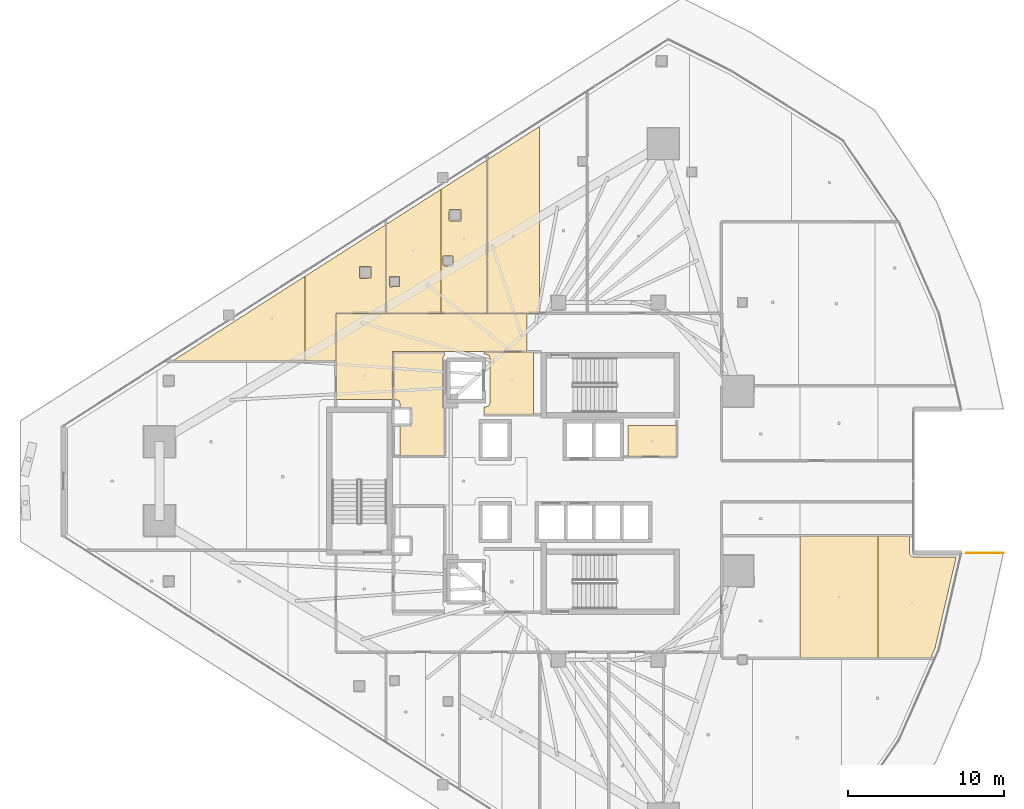
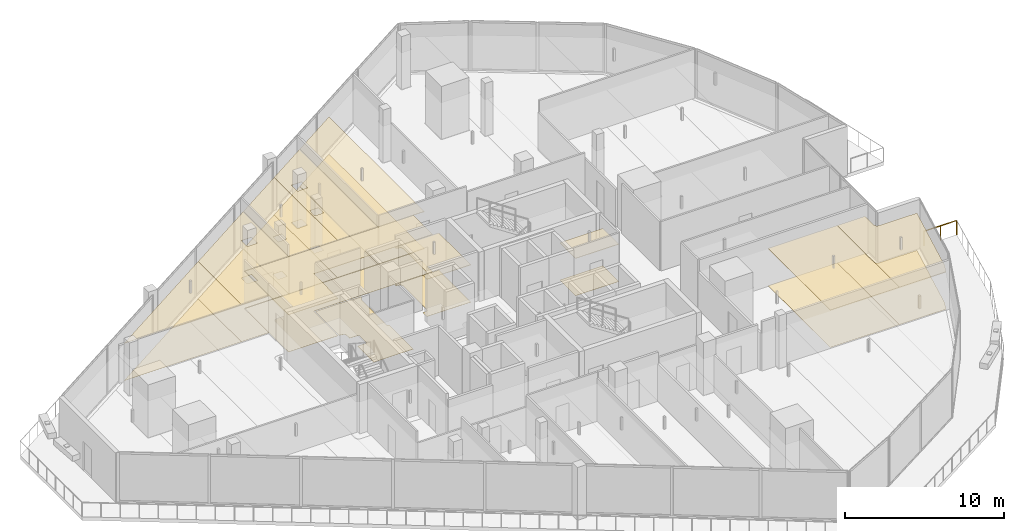
# One storey, part 35 of 37: 21 coverings, 1 railing.
"""IFC4 building model written with IfcOpenShell, lengths in metres."""

from ifc_helpers import new_model, si_unit, direction, frame, origin, origin_2d, place, context, subcontext, project, spatial, polyline, circle, outline, extrude, material, layer, layer_set, type_object, element, save


model = new_model("IFC4")

# Units and contexts
model_context = context("Model", 3, precision=1e-05, world=origin(), true_north=direction((0.0, 1.0)))
body_context = subcontext(model_context, "Body", "Model", "MODEL_VIEW")
ifc_project = project(units=[si_unit("LENGTHUNIT", "METRE"), si_unit("AREAUNIT", "SQUARE_METRE"), si_unit("VOLUMEUNIT", "CUBIC_METRE"), si_unit("PLANEANGLEUNIT", "RADIAN"), si_unit("MASSUNIT", "GRAM", prefix="KILO")], contexts=[model_context])

# Site, building, storey
site_placement = place(None, origin())
site = spatial("IfcSite", under=ifc_project, at=site_placement, CompositionType="ELEMENT")
building_placement = place(site_placement, origin())
building = spatial("IfcBuilding", under=site, at=building_placement, Name="Qorvath Tower", CompositionType="ELEMENT")
storey_placement = place(building_placement, frame((0.0, 0.0, 184.800048828125)))
storey = spatial("IfcBuildingStorey", under=building, at=storey_placement, Name="L42", CompositionType="ELEMENT", Elevation=184.800048828125)

# Coverings
ifc_material_1 = material(Name="Acoustic mineral fibre ceiling tile", Category="gypsum")
ifc_layer_1 = layer(ifc_material_1, 0.030029296875)
ifc_layer_set_1 = layer_set([ifc_layer_1], Name="COV-CEIL")
covering_type_1 = type_object("IfcCoveringType", Name="COV-CEIL", PredefinedType="CEILING", material=ifc_layer_set_1)
covering_1_placement = place(storey_placement, frame((0.0, 0.0, 2.849853515625)))
element("IfcCovering", 1, at=covering_1_placement, inside=storey, type_object=covering_type_1, Name="L42 Suspended Acoustic Ceiling 001", PredefinedType="CEILING", context=body_context, shape_type="SweptSolid", body=[
    extrude(outline(polyline([(-25.18994140625, 4.2548828125), (-25.18994140625, 8.294921875), (-28.375, 8.294921875), (-28.375, 8.159912109375), (-28.063232421875, 8.086669921875), (-27.989990234375, 7.909912109375), (-27.989990234375, 4.989990234375), (-28.063232421875, 4.813232421875), (-28.375, 4.739990234375), (-28.375, 4.2548828125), (-25.18994140625, 4.2548828125)])), origin(), (0.0, 0.0, 1.0), 0.030029296875),
])
covering_2_placement = place(storey_placement, frame((0.0, 0.0, 2.849853515625)))
element("IfcCovering", 2, at=covering_2_placement, inside=storey, type_object=covering_type_1, Name="L42 Suspended Acoustic Ceiling 003", PredefinedType="CEILING", context=body_context, shape_type="SweptSolid", body=[
    extrude(outline(polyline([(-16.0048828125, 3.56005859375), (-19.139892578125, 3.56005859375), (-19.139892578125, 1.56494140625), (-16.0048828125, 1.56494140625), (-16.0048828125, 3.56005859375)])), origin(), (0.0, 0.0, 1.0), 0.030029296875),
])
covering_3_placement = place(storey_placement, frame((0.0, 0.0, 2.849853515625)))
element("IfcCovering", 3, at=covering_3_placement, inside=storey, type_object=covering_type_1, Name="L42 Suspended Acoustic Ceiling 007", PredefinedType="CEILING", context=body_context, shape_type="SweptSolid", body=[
    extrude(outline(polyline([(-25.6044921875, 8.324951171875), (-25.6044921875, 10.7451171875), (-37.844970703125, 10.7451171875), (-37.844970703125, 5.239990234375), (-34.2509765625, 5.239990234375), (-34.219970703125, 8.324951171875), (-25.6044921875, 8.324951171875)])), origin(), (0.0, 0.0, 1.0), 0.030029296875),
])
covering_4_placement = place(storey_placement, frame((0.0, 0.0, 2.849853515625)))
element("IfcCovering", 4, at=covering_4_placement, inside=storey, type_object=covering_type_1, Name="L42 Suspended Acoustic Ceiling 009", PredefinedType="CEILING", context=body_context, shape_type="SweptSolid", body=[
    extrude(outline(polyline([(-31.111572265625, 10.762939453125), (-31.111572265625, 18.71435546875), (-34.64501953125, 16.4560546875), (-34.64501953125, 10.762939453125), (-31.111572265625, 10.762939453125)]), holes=[polyline([(-34.439208984375, 12.517578125), (-34.421630859375, 13.10986328125), (-33.786865234375, 13.10986328125), (-33.786865234375, 12.47509765625), (-34.379150390625, 12.45751953125), (-34.439208984375, 12.517578125)])]), origin(), (0.0, 0.0, 1.0), 0.030029296875),
])
covering_5_placement = place(storey_placement, frame((0.0, 0.0, 2.849853515625)))
element("IfcCovering", 5, at=covering_5_placement, inside=storey, type_object=covering_type_1, Name="L42 Suspended Acoustic Ceiling 010", PredefinedType="CEILING", context=body_context, shape_type="SweptSolid", body=[
    extrude(outline(polyline([(-28.175537109375, 10.762939453125), (-28.175537109375, 20.5908203125), (-31.111572265625, 18.71435546875), (-31.111572265625, 10.762939453125), (-28.175537109375, 10.762939453125)]), holes=[polyline([(-30.60986328125, 16.734619140625), (-30.59228515625, 17.427001953125), (-29.857421875, 17.427001953125), (-29.857421875, 16.692138671875), (-30.5498046875, 16.674560546875), (-30.60986328125, 16.734619140625)]), polyline([(-31.01220703125, 13.849365234375), (-30.99462890625, 14.441650390625), (-30.35986328125, 14.441650390625), (-30.35986328125, 13.806884765625), (-30.9521484375, 13.789306640625), (-31.01220703125, 13.849365234375)])]), origin(), (0.0, 0.0, 1.0), 0.030029296875),
])
covering_6_placement = place(storey_placement, frame((0.0, 0.0, 2.849853515625)))
element("IfcCovering", 6, at=covering_6_placement, inside=storey, type_object=covering_type_1, Name="L42 Suspended Acoustic Ceiling 011", PredefinedType="CEILING", context=body_context, shape_type="SweptSolid", body=[
    extrude(outline(polyline([(-24.804443359375, 10.762939453125), (-24.804443359375, 22.745361328125), (-28.157470703125, 20.602294921875), (-28.157470703125, 10.762939453125), (-24.804443359375, 10.762939453125)])), origin(), (0.0, 0.0, 1.0), 0.030029296875),
])
covering_7_placement = place(storey_placement, frame((0.0, 0.0, 2.849853515625)))
element("IfcCovering", 7, at=covering_7_placement, inside=storey, type_object=covering_type_1, Name="L42 Suspended Acoustic Ceiling 028", PredefinedType="CEILING", context=body_context, shape_type="SweptSolid", body=[
    extrude(outline(polyline([(-3.10693359375, -11.343994140625), (-3.10693359375, -3.514892578125), (-8.1220703125, -3.514892578125), (-8.1220703125, -11.342041015625), (-3.10693359375, -11.343994140625)])), origin(), (0.0, 0.0, 1.0), 0.030029296875),
])
covering_8_placement = place(storey_placement, frame((0.0, 0.0, 2.849853515625)))
element("IfcCovering", 8, at=covering_8_placement, inside=storey, type_object=covering_type_1, Name="L42 Suspended Acoustic Ceiling 029", PredefinedType="CEILING", context=body_context, shape_type="SweptSolid", body=[
    extrude(outline(polyline([(-1.001220703125, -4.796630859375), (-1.08837890625, -4.649658203125), (-1.09326171875, -3.514892578125), (-3.10693359375, -3.514892578125), (-3.10693359375, -11.343994140625), (0.26708984375, -11.34521484375), (0.552734375, -10.695068359375), (1.907958984375, -4.855712890625), (-0.86279296875, -4.8544921875), (-1.001220703125, -4.796630859375)])), origin(), (0.0, 0.0, 1.0), 0.030029296875),
])
covering_9_placement = place(storey_placement, frame((0.0, 0.0, 2.849853515625)))
element("IfcCovering", 9, at=covering_9_placement, inside=storey, type_object=covering_type_1, Name="L42 Suspended Acoustic Ceiling 042", PredefinedType="CEILING", context=body_context, shape_type="SweptSolid", body=[
    extrude(outline(polyline([(-39.850830078125, 7.693115234375), (-39.850830078125, 13.128662109375), (-48.35546875, 7.693115234375), (-39.850830078125, 7.693115234375)])), origin(), (0.0, 0.0, 1.0), 0.030029296875),
])
covering_10_placement = place(storey_placement, frame((0.0, 0.0, 2.849853515625)))
element("IfcCovering", 10, at=covering_10_placement, inside=storey, type_object=covering_type_1, Name="L42 Suspended Acoustic Ceiling 043", PredefinedType="CEILING", context=body_context, shape_type="SweptSolid", body=[
    extrude(outline(polyline([(-37.85791015625, 10.762939453125), (-34.6630859375, 10.762939453125), (-34.6630859375, 16.444580078125), (-39.850830078125, 13.128662109375), (-39.850830078125, 7.693115234375), (-37.863037109375, 7.693115234375), (-37.85791015625, 10.762939453125)]), holes=[polyline([(-36.36572265625, 13.055908203125), (-36.34814453125, 13.748291015625), (-35.61328125, 13.748291015625), (-35.61328125, 13.013427734375), (-36.3056640625, 12.995849609375), (-36.36572265625, 13.055908203125)])]), origin(), (0.0, 0.0, 1.0), 0.030029296875),
])
ifc_material_2 = material(Name="Low-VOC modular carpet tile", Category="textile")
ifc_layer_2 = layer(ifc_material_2, 0.014892578125)
ifc_layer_set_2 = layer_set([ifc_layer_2], Name="COV-FLOOR-CPT")
covering_type_2 = type_object("IfcCoveringType", Name="COV-FLOOR-CPT", PredefinedType="FLOORING", material=ifc_layer_set_2)
covering_11_placement = place(storey_placement, origin())
element("IfcCovering", 11, at=covering_11_placement, inside=storey, type_object=covering_type_2, Name="L42 Floor Finish 003", PredefinedType="FLOORING", context=body_context, shape_type="SweptSolid", body=[
    extrude(outline(polyline([(-16.0048828125, 3.56005859375), (-19.139892578125, 3.56005859375), (-19.139892578125, 1.56494140625), (-16.0048828125, 1.56494140625), (-16.0048828125, 3.56005859375)])), origin(), (0.0, 0.0, 1.0), 0.014892578125),
])
covering_12_placement = place(storey_placement, origin())
element("IfcCovering", 12, at=covering_12_placement, inside=storey, type_object=covering_type_2, Name="L42 Floor Finish 009", PredefinedType="FLOORING", context=body_context, shape_type="SweptSolid", body=[
    extrude(outline(polyline([(-31.111572265625, 10.762939453125), (-31.111572265625, 18.71435546875), (-34.64501953125, 16.4560546875), (-34.64501953125, 10.762939453125), (-31.111572265625, 10.762939453125)]), holes=[polyline([(-34.439208984375, 12.517578125), (-34.421630859375, 13.10986328125), (-33.786865234375, 13.10986328125), (-33.786865234375, 12.47509765625), (-34.379150390625, 12.45751953125), (-34.439208984375, 12.517578125)])]), origin(), (0.0, 0.0, 1.0), 0.014892578125),
])
covering_13_placement = place(storey_placement, origin())
element("IfcCovering", 13, at=covering_13_placement, inside=storey, type_object=covering_type_2, Name="L42 Floor Finish 010", PredefinedType="FLOORING", context=body_context, shape_type="SweptSolid", body=[
    extrude(outline(polyline([(-28.175537109375, 10.762939453125), (-28.175537109375, 20.5908203125), (-31.111572265625, 18.71435546875), (-31.111572265625, 10.762939453125), (-28.175537109375, 10.762939453125)]), holes=[polyline([(-30.60986328125, 16.734619140625), (-30.59228515625, 17.427001953125), (-29.857421875, 17.427001953125), (-29.857421875, 16.692138671875), (-30.5498046875, 16.674560546875), (-30.60986328125, 16.734619140625)]), polyline([(-31.01220703125, 13.849365234375), (-30.99462890625, 14.441650390625), (-30.35986328125, 14.441650390625), (-30.35986328125, 13.806884765625), (-30.9521484375, 13.789306640625), (-31.01220703125, 13.849365234375)])]), origin(), (0.0, 0.0, 1.0), 0.014892578125),
])
covering_14_placement = place(storey_placement, origin())
element("IfcCovering", 14, at=covering_14_placement, inside=storey, type_object=covering_type_2, Name="L42 Floor Finish 011", PredefinedType="FLOORING", context=body_context, shape_type="SweptSolid", body=[
    extrude(outline(polyline([(-24.804443359375, 10.762939453125), (-24.804443359375, 22.745361328125), (-28.157470703125, 20.602294921875), (-28.157470703125, 10.762939453125), (-24.804443359375, 10.762939453125)])), origin(), (0.0, 0.0, 1.0), 0.014892578125),
])
covering_15_placement = place(storey_placement, origin())
element("IfcCovering", 15, at=covering_15_placement, inside=storey, type_object=covering_type_2, Name="L42 Floor Finish 028", PredefinedType="FLOORING", context=body_context, shape_type="SweptSolid", body=[
    extrude(outline(polyline([(-3.10693359375, -11.343994140625), (-3.10693359375, -3.514892578125), (-8.1220703125, -3.514892578125), (-8.1220703125, -11.342041015625), (-3.10693359375, -11.343994140625)])), origin(), (0.0, 0.0, 1.0), 0.014892578125),
])
covering_16_placement = place(storey_placement, origin())
element("IfcCovering", 16, at=covering_16_placement, inside=storey, type_object=covering_type_2, Name="L42 Floor Finish 029", PredefinedType="FLOORING", context=body_context, shape_type="SweptSolid", body=[
    extrude(outline(polyline([(-1.001220703125, -4.796630859375), (-1.08837890625, -4.649658203125), (-1.09326171875, -3.514892578125), (-3.10693359375, -3.514892578125), (-3.10693359375, -11.343994140625), (0.26708984375, -11.34521484375), (0.552734375, -10.695068359375), (1.907958984375, -4.855712890625), (-0.86279296875, -4.8544921875), (-1.001220703125, -4.796630859375)])), origin(), (0.0, 0.0, 1.0), 0.014892578125),
])
covering_17_placement = place(storey_placement, origin())
element("IfcCovering", 17, at=covering_17_placement, inside=storey, type_object=covering_type_2, Name="L42 Floor Finish 042", PredefinedType="FLOORING", context=body_context, shape_type="SweptSolid", body=[
    extrude(outline(polyline([(-39.850830078125, 7.693115234375), (-39.850830078125, 13.128662109375), (-48.35546875, 7.693115234375), (-39.850830078125, 7.693115234375)])), origin(), (0.0, 0.0, 1.0), 0.014892578125),
])
covering_18_placement = place(storey_placement, origin())
element("IfcCovering", 18, at=covering_18_placement, inside=storey, type_object=covering_type_2, Name="L42 Floor Finish 043", PredefinedType="FLOORING", context=body_context, shape_type="SweptSolid", body=[
    extrude(outline(polyline([(-37.85791015625, 10.762939453125), (-34.6630859375, 10.762939453125), (-34.6630859375, 16.444580078125), (-39.850830078125, 13.128662109375), (-39.850830078125, 7.693115234375), (-37.863037109375, 7.693115234375), (-37.85791015625, 10.762939453125)]), holes=[polyline([(-36.36572265625, 13.055908203125), (-36.34814453125, 13.748291015625), (-35.61328125, 13.748291015625), (-35.61328125, 13.013427734375), (-36.3056640625, 12.995849609375), (-36.36572265625, 13.055908203125)])]), origin(), (0.0, 0.0, 1.0), 0.014892578125),
])
ifc_material_3 = material(Name="Polished epoxy terrazzo flooring", Category="concrete")
ifc_layer_3 = layer(ifc_material_3, 0.02001953125)
ifc_layer_set_3 = layer_set([ifc_layer_3], Name="COV-FLOOR-TRZ")
covering_type_3 = type_object("IfcCoveringType", Name="COV-FLOOR-TRZ", PredefinedType="FLOORING", material=ifc_layer_set_3)
covering_19_placement = place(storey_placement, origin())
element("IfcCovering", 19, at=covering_19_placement, inside=storey, type_object=covering_type_3, Name="L42 Floor Finish 001", PredefinedType="FLOORING", context=body_context, shape_type="SweptSolid", body=[
    extrude(outline(polyline([(-25.18994140625, 4.2548828125), (-25.18994140625, 8.294921875), (-28.375, 8.294921875), (-28.375, 8.159912109375), (-28.063232421875, 8.086669921875), (-27.989990234375, 7.909912109375), (-27.989990234375, 4.989990234375), (-28.063232421875, 4.813232421875), (-28.375, 4.739990234375), (-28.375, 4.2548828125), (-25.18994140625, 4.2548828125)])), origin(), (0.0, 0.0, 1.0), 0.014892578125),
])
covering_20_placement = place(storey_placement, origin())
element("IfcCovering", 20, at=covering_20_placement, inside=storey, type_object=covering_type_3, Name="L42 Floor Finish 004", PredefinedType="FLOORING", context=body_context, shape_type="SweptSolid", body=[
    extrude(outline(polyline([(-30.885009765625, 8.2451171875), (-34.175048828125, 8.2451171875), (-34.175048828125, 5.239990234375), (-33.833251953125, 5.166748046875), (-33.760009765625, 4.989990234375), (-33.760009765625, 4.633056640625), (-33.0869140625, 4.6279296875), (-33.08837890625, 3.638427734375), (-33.760009765625, 3.636962890625), (-33.760009765625, 1.60498046875), (-30.885009765625, 1.60498046875), (-30.885009765625, 4.639892578125), (-31.010009765625, 4.699951171875), (-31.010009765625, 7.909912109375), (-30.885009765625, 8.108154296875), (-30.885009765625, 8.2451171875)])), origin(), (0.0, 0.0, 1.0), 0.014892578125),
])
covering_21_placement = place(storey_placement, origin())
element("IfcCovering", 21, at=covering_21_placement, inside=storey, type_object=covering_type_3, Name="L42 Floor Finish 007", PredefinedType="FLOORING", context=body_context, shape_type="SweptSolid", body=[
    extrude(outline(polyline([(-25.6044921875, 8.324951171875), (-25.6044921875, 10.7451171875), (-37.844970703125, 10.7451171875), (-37.844970703125, 5.239990234375), (-34.2509765625, 5.239990234375), (-34.219970703125, 8.324951171875), (-25.6044921875, 8.324951171875)])), origin(), (0.0, 0.0, 1.0), 0.014892578125),
])

# Railing
ifc_material_4 = material(Name="Laminated safety glass and stainless steel AISI 316", Category="steel")
railing_type = type_object("IfcRailingType", Name="RL-EXT-GRD", PredefinedType="GUARDRAIL", material=ifc_material_4)
railing_placement = place(storey_placement, frame((2.57861328125, -4.600830078125, 0.0)))
element("IfcRailing", 22, at=railing_placement, inside=storey, type_object=railing_type, Name="Loggia Perimeter Guardrail L42-1.2", PredefinedType="GUARDRAIL", context=body_context, shape_type="SweptSolid", body=[
    extrude(circle(Radius=0.02392578125, at=origin_2d()), frame((0.0, 0.0, 1.09619140625), z_axis=(1.0, 0.0, 0.0), x_axis=(0.0, 1.0, 0.0)), (0.0, 0.0, 1.0), 2.36669921875),
    extrude(circle(Radius=0.02099609375, at=origin_2d()), origin(), (0.0, 0.0, 1.0), 1.072021484375),
    extrude(circle(Radius=0.02099609375, at=origin_2d()), frame((1.183349609375, 0.0, 0.0)), (0.0, 0.0, 1.0), 1.072021484375),
    extrude(circle(Radius=0.02099609375, at=origin_2d()), frame((2.36669921875, 0.0, 0.0)), (0.0, 0.0, 1.0), 1.072021484375),
])

save(model, "model.ifc")
